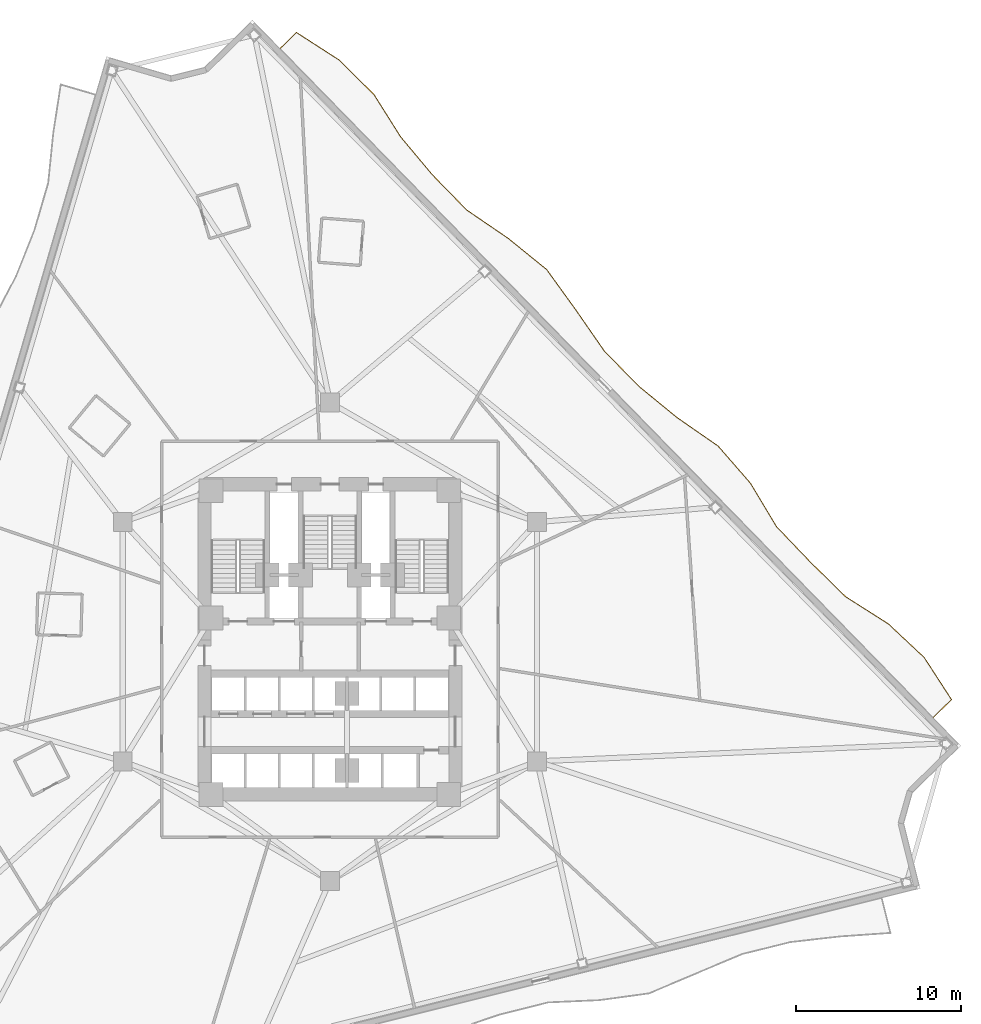
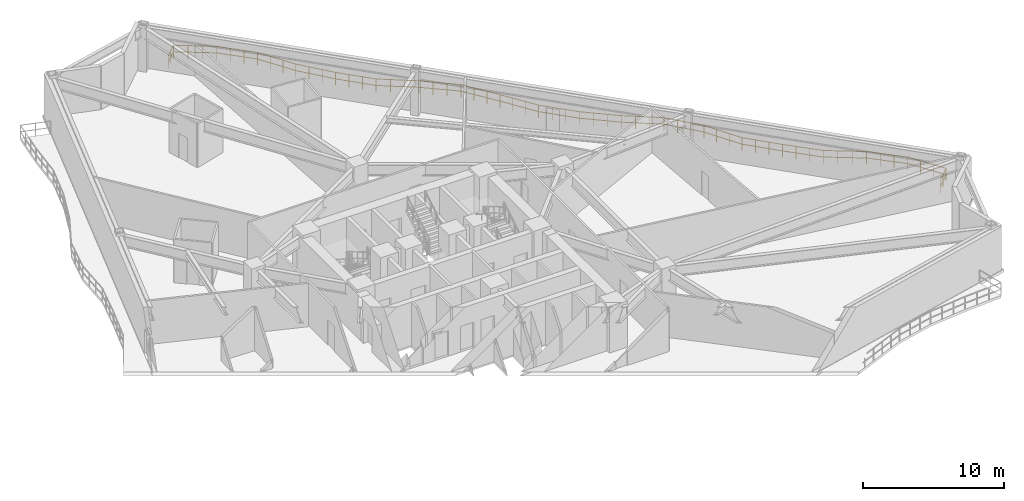
# One storey, part 10 of 10: 1 railing.
"""IFC4 building model written with IfcOpenShell, lengths in metres."""

from ifc_helpers import new_model, si_unit, direction, frame, origin, origin_2d, place, context, subcontext, project, spatial, rectangle, extrude, material, type_object, element, save


model = new_model("IFC4")

# Units and contexts
model_context = context("Model", 3, precision=1e-05, world=origin(), true_north=direction((0.0, 1.0)))
body_context = subcontext(model_context, "Body", "Model", "MODEL_VIEW")
ifc_project = project(units=[si_unit("LENGTHUNIT", "METRE"), si_unit("AREAUNIT", "SQUARE_METRE"), si_unit("VOLUMEUNIT", "CUBIC_METRE"), si_unit("PLANEANGLEUNIT", "RADIAN"), si_unit("MASSUNIT", "GRAM", prefix="KILO")], contexts=[model_context])

# Site, building, storey
site_placement = place(None, origin())
site = spatial("IfcSite", under=ifc_project, at=site_placement, CompositionType="ELEMENT")
building_placement = place(site_placement, origin())
building = spatial("IfcBuilding", under=site, at=building_placement, Name="Apsidion Concourse Tower", CompositionType="ELEMENT")
storey_placement = place(building_placement, frame((0.0, 0.0, 115.0)))
storey = spatial("IfcBuildingStorey", under=building, at=storey_placement, Name="L26", CompositionType="ELEMENT", Elevation=115.0)

# Railing
ifc_material = material(Name="Brushed stainless steel 316", Category="steel")
railing_type = type_object("IfcRailingType", Name="RL-BAL-1120", PredefinedType="BALUSTRADE", material=ifc_material)
railing_placement = place(storey_placement, frame((-3.018310546875, 35.96728515625, 0.0)))
element("IfcRailing", 1, at=railing_placement, inside=storey, type_object=railing_type, Name="L26 Face 3 Rippling Balcony Balustrade", PredefinedType="BALUSTRADE", context=body_context, shape_type="SweptSolid", body=[
    extrude(rectangle(XDim=0.048095703125, YDim=0.048095703125, at=origin_2d()), frame((0.0, 0.0, 1.09619140625), z_axis=(0.715551035586, 0.698560459425, 0.0), x_axis=(-0.698560459425, 0.715551035586, 0.0)), (0.0, 0.0, 1.0), 1.37939453125),
    extrude(rectangle(XDim=0.048095703125, YDim=0.048095703125, at=origin_2d()), frame((0.0, 0.0, 0.5361328125), z_axis=(0.715551035586, 0.698560459425, 0.0), x_axis=(-0.698560459425, 0.715551035586, 0.0)), (0.0, 0.0, 1.0), 1.37939453125),
    extrude(rectangle(XDim=0.048095703125, YDim=0.048095703125, at=origin_2d()), frame((0.987060546875, 0.963623046875, 1.09619140625), z_axis=(0.840423256758, -0.541930576274, 0.0), x_axis=(0.541930576274, 0.840423256758, 0.0)), (0.0, 0.0, 1.0), 3.059814453125),
    extrude(rectangle(XDim=0.048095703125, YDim=0.048095703125, at=origin_2d()), frame((0.987060546875, 0.963623046875, 0.5361328125), z_axis=(0.840423256758, -0.541930576274, 0.0), x_axis=(0.541930576274, 0.840423256758, 0.0)), (0.0, 0.0, 1.0), 3.059814453125),
    extrude(rectangle(XDim=0.048095703125, YDim=0.048095703125, at=origin_2d()), frame((3.55859375, -0.694580078125, 1.09619140625), z_axis=(0.71195860293, -0.702221437806, 0.0), x_axis=(0.702221437806, 0.71195860293, 0.0)), (0.0, 0.0, 1.0), 2.983642578125),
    extrude(rectangle(XDim=0.048095703125, YDim=0.048095703125, at=origin_2d()), frame((3.55859375, -0.694580078125, 0.5361328125), z_axis=(0.71195860293, -0.702221437806, 0.0), x_axis=(0.702221437806, 0.71195860293, 0.0)), (0.0, 0.0, 1.0), 2.983642578125),
    extrude(rectangle(XDim=0.048095703125, YDim=0.048095703125, at=origin_2d()), frame((5.682861328125, -2.789794921875, 1.09619140625), z_axis=(0.533447835128, -0.845832966487, 0.0), x_axis=(0.845832966487, 0.533447835128, 0.0)), (0.0, 0.0, 1.0), 3.05029296875),
    extrude(rectangle(XDim=0.048095703125, YDim=0.048095703125, at=origin_2d()), frame((5.682861328125, -2.789794921875, 0.5361328125), z_axis=(0.533447835128, -0.845832966487, 0.0), x_axis=(0.845832966487, 0.533447835128, 0.0)), (0.0, 0.0, 1.0), 3.05029296875),
    extrude(rectangle(XDim=0.048095703125, YDim=0.048095703125, at=origin_2d()), frame((7.31005859375, -5.369873046875, 1.09619140625), z_axis=(0.641251334209, -0.767330910609, 0.0), x_axis=(0.767330910609, 0.641251334209, 0.0)), (0.0, 0.0, 1.0), 2.99169921875),
    extrude(rectangle(XDim=0.048095703125, YDim=0.048095703125, at=origin_2d()), frame((7.31005859375, -5.369873046875, 0.5361328125), z_axis=(0.641251334209, -0.767330910609, 0.0), x_axis=(0.767330910609, 0.641251334209, 0.0)), (0.0, 0.0, 1.0), 2.99169921875),
    extrude(rectangle(XDim=0.048095703125, YDim=0.048095703125, at=origin_2d()), frame((9.228515625, -7.66552734375, 1.09619140625), z_axis=(0.698502800273, -0.7156073211, 0.0), x_axis=(0.7156073211, 0.698502800273, 0.0)), (0.0, 0.0, 1.0), 2.983154296875),
    extrude(rectangle(XDim=0.048095703125, YDim=0.048095703125, at=origin_2d()), frame((9.228515625, -7.66552734375, 0.5361328125), z_axis=(0.698502800273, -0.7156073211, 0.0), x_axis=(0.7156073211, 0.698502800273, 0.0)), (0.0, 0.0, 1.0), 2.983154296875),
    extrude(rectangle(XDim=0.048095703125, YDim=0.048095703125, at=origin_2d()), frame((11.312255859375, -9.80029296875, 1.09619140625), z_axis=(0.825926743697, -0.563777450813, 0.0), x_axis=(0.563777450813, 0.825926743697, 0.0)), (0.0, 0.0, 1.0), 3.04248046875),
    extrude(rectangle(XDim=0.048095703125, YDim=0.048095703125, at=origin_2d()), frame((11.312255859375, -9.80029296875, 0.5361328125), z_axis=(0.825926743697, -0.563777450813, 0.0), x_axis=(0.563777450813, 0.825926743697, 0.0)), (0.0, 0.0, 1.0), 3.04248046875),
    extrude(rectangle(XDim=0.048095703125, YDim=0.048095703125, at=origin_2d()), frame((13.8251953125, -11.515625, 1.09619140625), z_axis=(0.776655781974, -0.629925230743, 0.0), x_axis=(0.629925230743, 0.776655781974, 0.0)), (0.0, 0.0, 1.0), 3.003173828125),
    extrude(rectangle(XDim=0.048095703125, YDim=0.048095703125, at=origin_2d()), frame((13.8251953125, -11.515625, 0.5361328125), z_axis=(0.776655781974, -0.629925230743, 0.0), x_axis=(0.629925230743, 0.776655781974, 0.0)), (0.0, 0.0, 1.0), 3.003173828125),
    extrude(rectangle(XDim=0.048095703125, YDim=0.048095703125, at=origin_2d()), frame((16.15771484375, -13.407470703125, 1.09619140625), z_axis=(0.585472818951, -0.810692036639, 0.0), x_axis=(0.810692036639, 0.585472818951, 0.0)), (0.0, 0.0, 1.0), 3.015625),
    extrude(rectangle(XDim=0.048095703125, YDim=0.048095703125, at=origin_2d()), frame((16.15771484375, -13.407470703125, 0.5361328125), z_axis=(0.585472818951, -0.810692036639, 0.0), x_axis=(0.810692036639, 0.585472818951, 0.0)), (0.0, 0.0, 1.0), 3.015625),
    extrude(rectangle(XDim=0.048095703125, YDim=0.048095703125, at=origin_2d()), frame((17.92333984375, -15.852294921875, 1.09619140625), z_axis=(0.569583401541, -0.821933542745, 0.0), x_axis=(0.821933542745, 0.569583401541, 0.0)), (0.0, 0.0, 1.0), 3.025390625),
    extrude(rectangle(XDim=0.048095703125, YDim=0.048095703125, at=origin_2d()), frame((17.92333984375, -15.852294921875, 0.5361328125), z_axis=(0.569583401541, -0.821933542745, 0.0), x_axis=(0.821933542745, 0.569583401541, 0.0)), (0.0, 0.0, 1.0), 3.025390625),
    extrude(rectangle(XDim=0.048095703125, YDim=0.048095703125, at=origin_2d()), frame((19.646484375, -18.3388671875, 1.09619140625), z_axis=(0.698501798427, -0.715608298998, 0.0), x_axis=(0.715608298998, 0.698501798427, 0.0)), (0.0, 0.0, 1.0), 2.98291015625),
    extrude(rectangle(XDim=0.048095703125, YDim=0.048095703125, at=origin_2d()), frame((19.646484375, -18.3388671875, 0.5361328125), z_axis=(0.698501798427, -0.715608298998, 0.0), x_axis=(0.715608298998, 0.698501798427, 0.0)), (0.0, 0.0, 1.0), 2.98291015625),
    extrude(rectangle(XDim=0.048095703125, YDim=0.048095703125, at=origin_2d()), frame((21.72998046875, -20.473388671875, 1.09619140625), z_axis=(0.773950051796, -0.633246648096, 0.0), x_axis=(0.633246648096, 0.773950051796, 0.0)), (0.0, 0.0, 1.0), 3.001708984375),
    extrude(rectangle(XDim=0.048095703125, YDim=0.048095703125, at=origin_2d()), frame((21.72998046875, -20.473388671875, 0.5361328125), z_axis=(0.773950051796, -0.633246648096, 0.0), x_axis=(0.633246648096, 0.773950051796, 0.0)), (0.0, 0.0, 1.0), 3.001708984375),
    extrude(rectangle(XDim=0.048095703125, YDim=0.048095703125, at=origin_2d()), frame((24.05322265625, -22.374267578125, 1.09619140625), z_axis=(0.8216334325, -0.570016230118, 0.0), x_axis=(0.570016230118, 0.8216334325, 0.0)), (0.0, 0.0, 1.0), 3.0380859375),
    extrude(rectangle(XDim=0.048095703125, YDim=0.048095703125, at=origin_2d()), frame((24.05322265625, -22.374267578125, 0.5361328125), z_axis=(0.8216334325, -0.570016230118, 0.0), x_axis=(0.570016230118, 0.8216334325, 0.0)), (0.0, 0.0, 1.0), 3.0380859375),
    extrude(rectangle(XDim=0.048095703125, YDim=0.048095703125, at=origin_2d()), frame((26.54931640625, -24.10595703125, 1.09619140625), z_axis=(0.656465931133, -0.754355672917, 0.0), x_axis=(0.754355672917, 0.656465931133, 0.0)), (0.0, 0.0, 1.0), 2.98779296875),
    extrude(rectangle(XDim=0.048095703125, YDim=0.048095703125, at=origin_2d()), frame((26.54931640625, -24.10595703125, 0.5361328125), z_axis=(0.656465931133, -0.754355672917, 0.0), x_axis=(0.754355672917, 0.656465931133, 0.0)), (0.0, 0.0, 1.0), 2.98779296875),
    extrude(rectangle(XDim=0.048095703125, YDim=0.048095703125, at=origin_2d()), frame((28.5107421875, -26.35986328125, 1.09619140625), z_axis=(0.5139804409, -0.857801903922, 0.0), x_axis=(0.857801903922, 0.5139804409, 0.0)), (0.0, 0.0, 1.0), 3.066162109375),
    extrude(rectangle(XDim=0.048095703125, YDim=0.048095703125, at=origin_2d()), frame((28.5107421875, -26.35986328125, 0.5361328125), z_axis=(0.5139804409, -0.857801903922, 0.0), x_axis=(0.857801903922, 0.5139804409, 0.0)), (0.0, 0.0, 1.0), 3.066162109375),
    extrude(rectangle(XDim=0.048095703125, YDim=0.048095703125, at=origin_2d()), frame((30.086669921875, -28.989990234375, 1.09619140625), z_axis=(0.690925267479, -0.722926189012, 0.0), x_axis=(0.722926189012, 0.690925267479, 0.0)), (0.0, 0.0, 1.0), 2.98291015625),
    extrude(rectangle(XDim=0.048095703125, YDim=0.048095703125, at=origin_2d()), frame((30.086669921875, -28.989990234375, 0.5361328125), z_axis=(0.690925267479, -0.722926189012, 0.0), x_axis=(0.722926189012, 0.690925267479, 0.0)), (0.0, 0.0, 1.0), 2.98291015625),
    extrude(rectangle(XDim=0.048095703125, YDim=0.048095703125, at=origin_2d()), frame((32.147705078125, -31.146484375, 1.09619140625), z_axis=(0.713500750871, -0.700654464416, 0.0), x_axis=(0.700654464416, 0.713500750871, 0.0)), (0.0, 0.0, 1.0), 2.983642578125),
    extrude(rectangle(XDim=0.048095703125, YDim=0.048095703125, at=origin_2d()), frame((32.147705078125, -31.146484375, 0.5361328125), z_axis=(0.713500750871, -0.700654464416, 0.0), x_axis=(0.700654464416, 0.713500750871, 0.0)), (0.0, 0.0, 1.0), 2.983642578125),
    extrude(rectangle(XDim=0.048095703125, YDim=0.048095703125, at=origin_2d()), frame((34.276611328125, -33.237060546875, 1.09619140625), z_axis=(0.843913986046, -0.536478502977, 0.0), x_axis=(0.536478502977, 0.843913986046, 0.0)), (0.0, 0.0, 1.0), 3.064453125),
    extrude(rectangle(XDim=0.048095703125, YDim=0.048095703125, at=origin_2d()), frame((34.276611328125, -33.237060546875, 0.5361328125), z_axis=(0.843913986046, -0.536478502977, 0.0), x_axis=(0.536478502977, 0.843913986046, 0.0)), (0.0, 0.0, 1.0), 3.064453125),
    extrude(rectangle(XDim=0.048095703125, YDim=0.048095703125, at=origin_2d()), frame((36.86279296875, -34.881103515625, 1.09619140625), z_axis=(0.729710579529, -0.683756148143, 0.0), x_axis=(0.683756148143, 0.729710579529, 0.0)), (0.0, 0.0, 1.0), 2.98583984375),
    extrude(rectangle(XDim=0.048095703125, YDim=0.048095703125, at=origin_2d()), frame((36.86279296875, -34.881103515625, 0.5361328125), z_axis=(0.729710579529, -0.683756148143, 0.0), x_axis=(0.683756148143, 0.729710579529, 0.0)), (0.0, 0.0, 1.0), 2.98583984375),
    extrude(rectangle(XDim=0.048095703125, YDim=0.048095703125, at=origin_2d()), frame((39.04150390625, -36.922607421875, 1.09619140625), z_axis=(0.543969746503, -0.8391048295, 0.0), x_axis=(0.8391048295, 0.543969746503, 0.0)), (0.0, 0.0, 1.0), 3.04248046875),
    extrude(rectangle(XDim=0.048095703125, YDim=0.048095703125, at=origin_2d()), frame((39.04150390625, -36.922607421875, 0.5361328125), z_axis=(0.543969746503, -0.8391048295, 0.0), x_axis=(0.8391048295, 0.543969746503, 0.0)), (0.0, 0.0, 1.0), 3.04248046875),
    extrude(rectangle(XDim=0.048095703125, YDim=0.048095703125, at=origin_2d()), frame((40.696533203125, -39.4755859375, 1.09619140625), z_axis=(-0.715561083857, -0.698550166609, 0.0), x_axis=(0.698550166609, -0.715561083857, 0.0)), (0.0, 0.0, 1.0), 1.550048828125),
    extrude(rectangle(XDim=0.048095703125, YDim=0.048095703125, at=origin_2d()), frame((40.696533203125, -39.4755859375, 0.5361328125), z_axis=(-0.715561083857, -0.698550166609, 0.0), x_axis=(0.698550166609, -0.715561083857, 0.0)), (0.0, 0.0, 1.0), 1.550048828125),
    extrude(rectangle(XDim=0.0419921875, YDim=0.0419921875, at=origin_2d()), origin(), (0.0, 0.0, 1.0), 1.072021484375),
    extrude(rectangle(XDim=0.0419921875, YDim=0.0419921875, at=origin_2d()), frame((0.49365234375, 0.48193359375, 0.0)), (0.0, 0.0, 1.0), 1.072021484375),
    extrude(rectangle(XDim=0.0419921875, YDim=0.0419921875, at=origin_2d()), frame((0.987060546875, 0.963623046875, 0.0)), (0.0, 0.0, 1.0), 1.072021484375),
    extrude(rectangle(XDim=0.0419921875, YDim=0.0419921875, at=origin_2d()), frame((1.84423828125, 0.410888671875, 0.0)), (0.0, 0.0, 1.0), 1.072021484375),
    extrude(rectangle(XDim=0.0419921875, YDim=0.0419921875, at=origin_2d()), frame((2.701416015625, -0.141845703125, 0.0)), (0.0, 0.0, 1.0), 1.072021484375),
    extrude(rectangle(XDim=0.0419921875, YDim=0.0419921875, at=origin_2d()), frame((3.55859375, -0.694580078125, 0.0)), (0.0, 0.0, 1.0), 1.072021484375),
    extrude(rectangle(XDim=0.0419921875, YDim=0.0419921875, at=origin_2d()), frame((4.2666015625, -1.39306640625, 0.0)), (0.0, 0.0, 1.0), 1.072021484375),
    extrude(rectangle(XDim=0.0419921875, YDim=0.0419921875, at=origin_2d()), frame((4.974853515625, -2.09130859375, 0.0)), (0.0, 0.0, 1.0), 1.072021484375),
    extrude(rectangle(XDim=0.0419921875, YDim=0.0419921875, at=origin_2d()), frame((5.682861328125, -2.789794921875, 0.0)), (0.0, 0.0, 1.0), 1.072021484375),
    extrude(rectangle(XDim=0.0419921875, YDim=0.0419921875, at=origin_2d()), frame((6.225341796875, -3.64990234375, 0.0)), (0.0, 0.0, 1.0), 1.072021484375),
    extrude(rectangle(XDim=0.0419921875, YDim=0.0419921875, at=origin_2d()), frame((6.767578125, -4.509765625, 0.0)), (0.0, 0.0, 1.0), 1.072021484375),
    extrude(rectangle(XDim=0.0419921875, YDim=0.0419921875, at=origin_2d()), frame((7.31005859375, -5.369873046875, 0.0)), (0.0, 0.0, 1.0), 1.072021484375),
    extrude(rectangle(XDim=0.0419921875, YDim=0.0419921875, at=origin_2d()), frame((7.949462890625, -6.135009765625, 0.0)), (0.0, 0.0, 1.0), 1.072021484375),
    extrude(rectangle(XDim=0.0419921875, YDim=0.0419921875, at=origin_2d()), frame((8.589111328125, -6.900390625, 0.0)), (0.0, 0.0, 1.0), 1.072021484375),
    extrude(rectangle(XDim=0.0419921875, YDim=0.0419921875, at=origin_2d()), frame((9.228515625, -7.66552734375, 0.0)), (0.0, 0.0, 1.0), 1.072021484375),
    extrude(rectangle(XDim=0.0419921875, YDim=0.0419921875, at=origin_2d()), frame((9.923095703125, -8.377197265625, 0.0)), (0.0, 0.0, 1.0), 1.072021484375),
    extrude(rectangle(XDim=0.0419921875, YDim=0.0419921875, at=origin_2d()), frame((10.61767578125, -9.088623046875, 0.0)), (0.0, 0.0, 1.0), 1.072021484375),
    extrude(rectangle(XDim=0.0419921875, YDim=0.0419921875, at=origin_2d()), frame((11.312255859375, -9.80029296875, 0.0)), (0.0, 0.0, 1.0), 1.072021484375),
    extrude(rectangle(XDim=0.0419921875, YDim=0.0419921875, at=origin_2d()), frame((12.14990234375, -10.3720703125, 0.0)), (0.0, 0.0, 1.0), 1.072021484375),
    extrude(rectangle(XDim=0.0419921875, YDim=0.0419921875, at=origin_2d()), frame((12.987548828125, -10.94384765625, 0.0)), (0.0, 0.0, 1.0), 1.072021484375),
    extrude(rectangle(XDim=0.0419921875, YDim=0.0419921875, at=origin_2d()), frame((13.8251953125, -11.515625, 0.0)), (0.0, 0.0, 1.0), 1.072021484375),
    extrude(rectangle(XDim=0.0419921875, YDim=0.0419921875, at=origin_2d()), frame((14.602783203125, -12.146240234375, 0.0)), (0.0, 0.0, 1.0), 1.072021484375),
    extrude(rectangle(XDim=0.0419921875, YDim=0.0419921875, at=origin_2d()), frame((15.380126953125, -12.77685546875, 0.0)), (0.0, 0.0, 1.0), 1.072021484375),
    extrude(rectangle(XDim=0.0419921875, YDim=0.0419921875, at=origin_2d()), frame((16.15771484375, -13.407470703125, 0.0)), (0.0, 0.0, 1.0), 1.072021484375),
    extrude(rectangle(XDim=0.0419921875, YDim=0.0419921875, at=origin_2d()), frame((16.746337890625, -14.222412109375, 0.0)), (0.0, 0.0, 1.0), 1.072021484375),
    extrude(rectangle(XDim=0.0419921875, YDim=0.0419921875, at=origin_2d()), frame((17.334716796875, -15.037353515625, 0.0)), (0.0, 0.0, 1.0), 1.072021484375),
    extrude(rectangle(XDim=0.0419921875, YDim=0.0419921875, at=origin_2d()), frame((17.92333984375, -15.852294921875, 0.0)), (0.0, 0.0, 1.0), 1.072021484375),
    extrude(rectangle(XDim=0.0419921875, YDim=0.0419921875, at=origin_2d()), frame((18.497802734375, -16.68115234375, 0.0)), (0.0, 0.0, 1.0), 1.072021484375),
    extrude(rectangle(XDim=0.0419921875, YDim=0.0419921875, at=origin_2d()), frame((19.072021484375, -17.510009765625, 0.0)), (0.0, 0.0, 1.0), 1.072021484375),
    extrude(rectangle(XDim=0.0419921875, YDim=0.0419921875, at=origin_2d()), frame((19.646484375, -18.3388671875, 0.0)), (0.0, 0.0, 1.0), 1.072021484375),
    extrude(rectangle(XDim=0.0419921875, YDim=0.0419921875, at=origin_2d()), frame((20.341064453125, -19.05029296875, 0.0)), (0.0, 0.0, 1.0), 1.072021484375),
    extrude(rectangle(XDim=0.0419921875, YDim=0.0419921875, at=origin_2d()), frame((21.035400390625, -19.761962890625, 0.0)), (0.0, 0.0, 1.0), 1.072021484375),
    extrude(rectangle(XDim=0.0419921875, YDim=0.0419921875, at=origin_2d()), frame((21.72998046875, -20.473388671875, 0.0)), (0.0, 0.0, 1.0), 1.072021484375),
    extrude(rectangle(XDim=0.0419921875, YDim=0.0419921875, at=origin_2d()), frame((22.50439453125, -21.10693359375, 0.0)), (0.0, 0.0, 1.0), 1.072021484375),
    extrude(rectangle(XDim=0.0419921875, YDim=0.0419921875, at=origin_2d()), frame((23.27880859375, -21.74072265625, 0.0)), (0.0, 0.0, 1.0), 1.072021484375),
    extrude(rectangle(XDim=0.0419921875, YDim=0.0419921875, at=origin_2d()), frame((24.05322265625, -22.374267578125, 0.0)), (0.0, 0.0, 1.0), 1.072021484375),
    extrude(rectangle(XDim=0.0419921875, YDim=0.0419921875, at=origin_2d()), frame((24.88525390625, -22.951416015625, 0.0)), (0.0, 0.0, 1.0), 1.072021484375),
    extrude(rectangle(XDim=0.0419921875, YDim=0.0419921875, at=origin_2d()), frame((25.71728515625, -23.52880859375, 0.0)), (0.0, 0.0, 1.0), 1.072021484375),
    extrude(rectangle(XDim=0.0419921875, YDim=0.0419921875, at=origin_2d()), frame((26.54931640625, -24.10595703125, 0.0)), (0.0, 0.0, 1.0), 1.072021484375),
    extrude(rectangle(XDim=0.0419921875, YDim=0.0419921875, at=origin_2d()), frame((27.203125, -24.857177734375, 0.0)), (0.0, 0.0, 1.0), 1.072021484375),
    extrude(rectangle(XDim=0.0419921875, YDim=0.0419921875, at=origin_2d()), frame((27.85693359375, -25.608642578125, 0.0)), (0.0, 0.0, 1.0), 1.072021484375),
    extrude(rectangle(XDim=0.0419921875, YDim=0.0419921875, at=origin_2d()), frame((28.5107421875, -26.35986328125, 0.0)), (0.0, 0.0, 1.0), 1.072021484375),
    extrude(rectangle(XDim=0.0419921875, YDim=0.0419921875, at=origin_2d()), frame((29.0361328125, -27.236572265625, 0.0)), (0.0, 0.0, 1.0), 1.072021484375),
    extrude(rectangle(XDim=0.0419921875, YDim=0.0419921875, at=origin_2d()), frame((29.561279296875, -28.11328125, 0.0)), (0.0, 0.0, 1.0), 1.072021484375),
    extrude(rectangle(XDim=0.0419921875, YDim=0.0419921875, at=origin_2d()), frame((30.086669921875, -28.989990234375, 0.0)), (0.0, 0.0, 1.0), 1.072021484375),
    extrude(rectangle(XDim=0.0419921875, YDim=0.0419921875, at=origin_2d()), frame((30.773681640625, -29.708740234375, 0.0)), (0.0, 0.0, 1.0), 1.072021484375),
    extrude(rectangle(XDim=0.0419921875, YDim=0.0419921875, at=origin_2d()), frame((31.460693359375, -30.427734375, 0.0)), (0.0, 0.0, 1.0), 1.072021484375),
    extrude(rectangle(XDim=0.0419921875, YDim=0.0419921875, at=origin_2d()), frame((32.147705078125, -31.146484375, 0.0)), (0.0, 0.0, 1.0), 1.072021484375),
    extrude(rectangle(XDim=0.0419921875, YDim=0.0419921875, at=origin_2d()), frame((32.857421875, -31.84326171875, 0.0)), (0.0, 0.0, 1.0), 1.072021484375),
    extrude(rectangle(XDim=0.0419921875, YDim=0.0419921875, at=origin_2d()), frame((33.56689453125, -32.540283203125, 0.0)), (0.0, 0.0, 1.0), 1.072021484375),
    extrude(rectangle(XDim=0.0419921875, YDim=0.0419921875, at=origin_2d()), frame((34.276611328125, -33.237060546875, 0.0)), (0.0, 0.0, 1.0), 1.072021484375),
    extrude(rectangle(XDim=0.0419921875, YDim=0.0419921875, at=origin_2d()), frame((35.138671875, -33.78515625, 0.0)), (0.0, 0.0, 1.0), 1.072021484375),
    extrude(rectangle(XDim=0.0419921875, YDim=0.0419921875, at=origin_2d()), frame((36.000732421875, -34.3330078125, 0.0)), (0.0, 0.0, 1.0), 1.072021484375),
    extrude(rectangle(XDim=0.0419921875, YDim=0.0419921875, at=origin_2d()), frame((36.86279296875, -34.881103515625, 0.0)), (0.0, 0.0, 1.0), 1.072021484375),
    extrude(rectangle(XDim=0.0419921875, YDim=0.0419921875, at=origin_2d()), frame((37.589111328125, -35.5615234375, 0.0)), (0.0, 0.0, 1.0), 1.072021484375),
    extrude(rectangle(XDim=0.0419921875, YDim=0.0419921875, at=origin_2d()), frame((38.315185546875, -36.2421875, 0.0)), (0.0, 0.0, 1.0), 1.072021484375),
    extrude(rectangle(XDim=0.0419921875, YDim=0.0419921875, at=origin_2d()), frame((39.04150390625, -36.922607421875, 0.0)), (0.0, 0.0, 1.0), 1.072021484375),
    extrude(rectangle(XDim=0.0419921875, YDim=0.0419921875, at=origin_2d()), frame((39.59326171875, -37.773681640625, 0.0)), (0.0, 0.0, 1.0), 1.072021484375),
    extrude(rectangle(XDim=0.0419921875, YDim=0.0419921875, at=origin_2d()), frame((40.144775390625, -38.62451171875, 0.0)), (0.0, 0.0, 1.0), 1.072021484375),
    extrude(rectangle(XDim=0.0419921875, YDim=0.0419921875, at=origin_2d()), frame((40.696533203125, -39.4755859375, 0.0)), (0.0, 0.0, 1.0), 1.072021484375),
    extrude(rectangle(XDim=0.0419921875, YDim=0.0419921875, at=origin_2d()), frame((40.14208984375, -40.01708984375, 0.0)), (0.0, 0.0, 1.0), 1.072021484375),
    extrude(rectangle(XDim=0.0419921875, YDim=0.0419921875, at=origin_2d()), frame((39.58740234375, -40.558349609375, 0.0)), (0.0, 0.0, 1.0), 1.072021484375),
])

save(model, "model.ifc")
